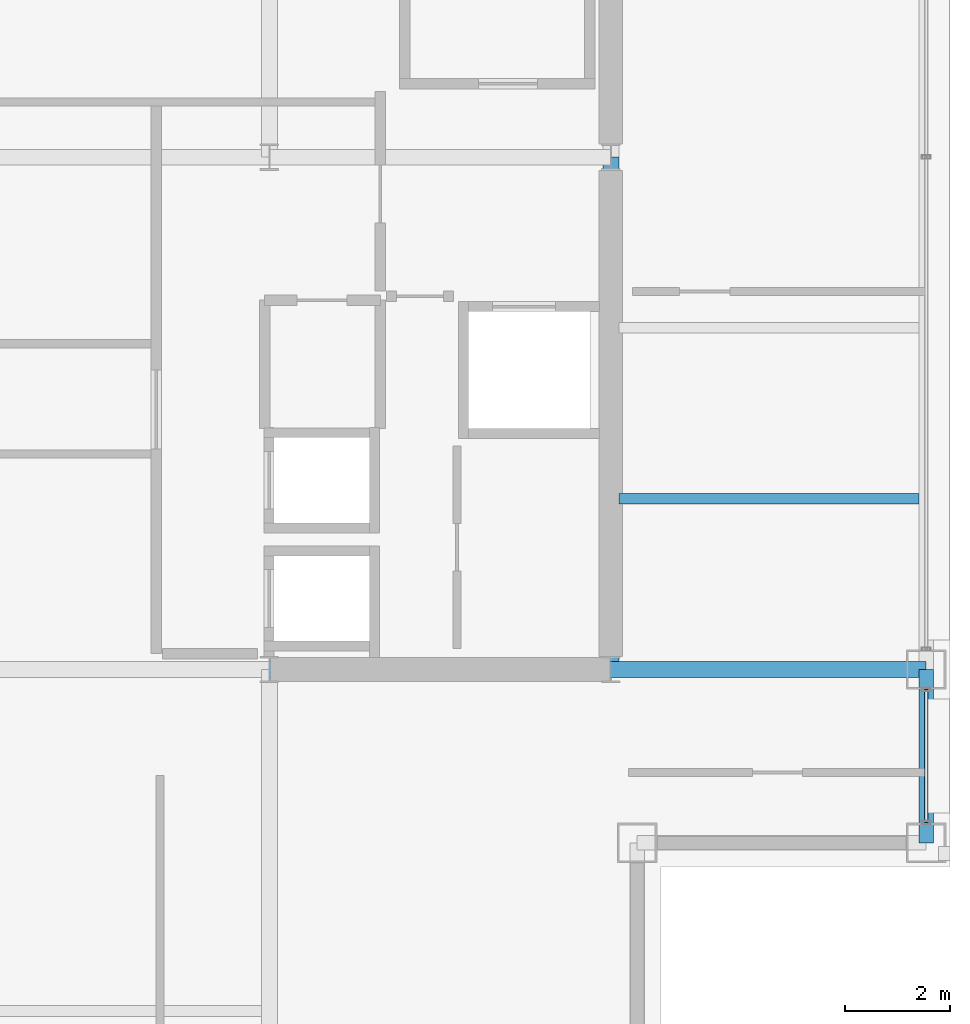
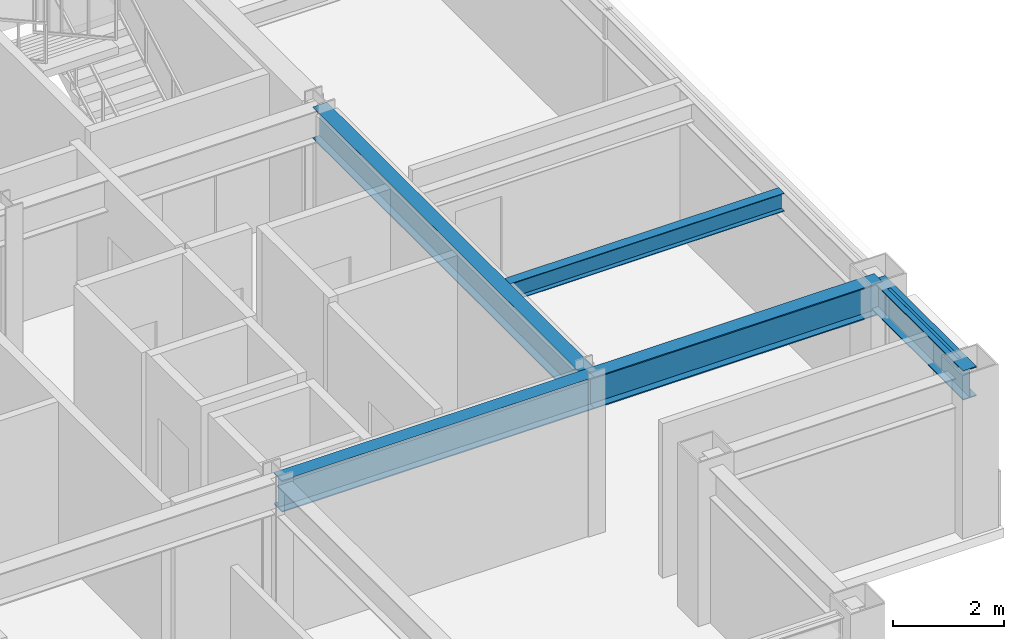
# One storey, part 12 of 27: 5 beams, 1 member, 1 element without a shape of its own.
"""IFC4 building model written with IfcOpenShell, lengths in metres."""

from ifc_helpers import new_model, si_unit, direction, frame, origin, origin_2d, place, context, subcontext, project, spatial, hollow_rectangle, i_section, extrude, material, layer, layer_set, material_profile, profile_set, type_object, element, aggregate, save


model = new_model("IFC4")

# Units and contexts
model_context = context("Model", 3, precision=1e-05, world=origin(), true_north=direction((0.0, 1.0)))
body_context = subcontext(model_context, "Body", "Model", "MODEL_VIEW")
ifc_project = project(units=[si_unit("LENGTHUNIT", "METRE"), si_unit("AREAUNIT", "SQUARE_METRE"), si_unit("VOLUMEUNIT", "CUBIC_METRE"), si_unit("PLANEANGLEUNIT", "RADIAN"), si_unit("MASSUNIT", "GRAM", prefix="KILO")], contexts=[model_context])

# Site, building, storey
site_placement = place(None, origin())
site = spatial("IfcSite", under=ifc_project, at=site_placement, CompositionType="ELEMENT")
building_placement = place(site_placement, origin())
building = spatial("IfcBuilding", under=site, at=building_placement, Name="Brelmoor Portico Tower", CompositionType="ELEMENT")
storey_placement = place(building_placement, frame((0.0, 0.0, 158.699951171875)))
storey = spatial("IfcBuildingStorey", under=building, at=storey_placement, Name="L41", CompositionType="ELEMENT", Elevation=158.699951171875)

# Beams
ifc_material_1 = material(Name="Steel Q355B", Category="steel")
ifc_material_profile_1 = material_profile(ifc_material_1, i_section(OverallWidth=0.199951171875, OverallDepth=0.39990234375, WebThickness=0.008056640625, FlangeThickness=0.012939453125, at=origin_2d()), Name="HN 400x200x8x13")
ifc_profile_set_1 = profile_set([ifc_material_profile_1], Name="Steel Q355B")
beam_type_1 = type_object("IfcBeamType", Name="BM-JS-400", PredefinedType="JOIST", material=ifc_profile_set_1)
beam_1_placement = place(storey_placement, frame((14.699951171875, -6.5, 3.199951171875), z_axis=(1.0, 0.0, 0.0), x_axis=(0.0, 1.0, 0.0)))
element("IfcBeam", 1, at=beam_1_placement, inside=storey, type_object=beam_type_1, Name="L41 Secondary Wing Joist JS-E09", PredefinedType="JOIST", context=body_context, shape_type="SweptSolid", body=[
    extrude(i_section(OverallWidth=0.199951171875, OverallDepth=0.39990234375, WebThickness=0.008056640625, FlangeThickness=0.012939453125, at=origin_2d()), origin(), (0.0, 0.0, 1.0), 5.7099609375),
])
ifc_material_profile_2 = material_profile(ifc_material_1, i_section(OverallWidth=0.300048828125, OverallDepth=0.699951171875, WebThickness=0.012939453125, FlangeThickness=0.02392578125, at=origin_2d()), Name="HN 700x300x13x24")
ifc_profile_set_2 = profile_set([ifc_material_profile_2], Name="Steel Q355B")
beam_type_2 = type_object("IfcBeamType", Name="BM-PG-700", PredefinedType="BEAM", material=ifc_profile_set_2)
beam_2_placement = place(storey_placement, frame((14.550048828125, -9.75, 3.050048828125), z_axis=(0.0, 1.0, 0.0), x_axis=(-1.0, 0.0, 0.0)))
element("IfcBeam", 2, at=beam_2_placement, inside=storey, type_object=beam_type_2, Name="L41 Primary Floor Girder PG-09", PredefinedType="BEAM", context=body_context, shape_type="SweptSolid", body=[
    extrude(i_section(OverallWidth=0.300048828125, OverallDepth=0.699951171875, WebThickness=0.012939453125, FlangeThickness=0.02392578125, at=origin_2d()), origin(), (0.0, 0.0, 1.0), 9.75),
])
beam_3_placement = place(storey_placement, frame((8.050048828125, -9.75, 3.050048828125), z_axis=(1.0, 0.0, 0.0), x_axis=(0.0, 1.0, 0.0)))
element("IfcBeam", 3, at=beam_3_placement, inside=storey, type_object=beam_type_2, Name="L41 Primary Floor Girder PG-14", PredefinedType="BEAM", context=body_context, shape_type="SweptSolid", body=[
    extrude(i_section(OverallWidth=0.300048828125, OverallDepth=0.699951171875, WebThickness=0.012939453125, FlangeThickness=0.02392578125, at=origin_2d()), origin(), (0.0, 0.0, 1.0), 6.5),
])
beam_4_placement = place(storey_placement, frame((14.550048828125, -9.75, 3.050048828125), z_axis=(1.0, 0.0, 0.0), x_axis=(0.0, 1.0, 0.0)))
element("IfcBeam", 4, at=beam_4_placement, inside=storey, type_object=beam_type_2, Name="L41 Primary Floor Girder PG-15", PredefinedType="BEAM", context=body_context, shape_type="SweptSolid", body=[
    extrude(i_section(OverallWidth=0.300048828125, OverallDepth=0.699951171875, WebThickness=0.012939453125, FlangeThickness=0.02392578125, at=origin_2d()), origin(), (0.0, 0.0, 1.0), 6.0),
])
ifc_material_profile_3 = material_profile(ifc_material_1, i_section(OverallWidth=0.280029296875, OverallDepth=0.64990234375, WebThickness=0.012939453125, FlangeThickness=0.02197265625, at=origin_2d()), Name="HN 650x280x13x22")
ifc_profile_set_3 = profile_set([ifc_material_profile_3], Name="Steel Q355B")
beam_type_3 = type_object("IfcBeamType", Name="BM-SP-650", PredefinedType="SPANDREL", material=ifc_profile_set_3)
beam_5_placement = place(storey_placement, frame((20.550048828125, -13.050048828125, 3.074951171875), z_axis=(0.0, 1.0, 0.0), x_axis=(-1.0, 0.0, 0.0)))
element("IfcBeam", 5, at=beam_5_placement, inside=storey, type_object=beam_type_3, Name="L41 Perimeter Spandrel Beam SP-18", PredefinedType="SPANDREL", context=body_context, shape_type="SweptSolid", body=[
    extrude(i_section(OverallWidth=0.280029296875, OverallDepth=0.64990234375, WebThickness=0.012939453125, FlangeThickness=0.02197265625, at=origin_2d()), origin(), (0.0, 0.0, 1.0), 3.300048828125),
])

# Curtain wall, member
ifc_material_2 = material(Name="Anodised Aluminium Alloy 6063-T6", Category="aluminium")
ifc_layer = layer(ifc_material_2, 0.179931640625)
ifc_layer_set = layer_set([ifc_layer], Name="Anodised Aluminium Alloy 6063-T6")
curtain_wall_type = type_object("IfcCurtainWallType", Name="CW-TOWER-Z3-XB", PredefinedType="NOTDEFINED", material=ifc_layer_set)
curtain_wall_placement = place(storey_placement, origin())
curtain_wall = element("IfcCurtainWall", 6, at=curtain_wall_placement, inside=storey, type_object=curtain_wall_type, Name="L41 Curtain Wall CW-L41-04-1", PredefinedType="NOTDEFINED")
ifc_material_profile_4 = material_profile(ifc_material_2, hollow_rectangle(XDim=0.06005859375, YDim=0.125, WallThickness=0.00341796875, at=origin_2d()), Name="ALU TRANSOM 60x125")
ifc_profile_set_4 = profile_set([ifc_material_profile_4], Name="Anodised Aluminium Alloy 6063-T6")
member_type = type_object("IfcMemberType", Name="MB-CW-TRAN-125", PredefinedType="USERDEFINED", material=ifc_profile_set_4)
member_placement = place(storey_placement, frame((20.550048828125, -12.6650390625, 3.337646484375), z_axis=(0.0, 1.0, 0.0), x_axis=(-1.0, 0.0, 0.0)))
member = element("IfcMember", 7, at=member_placement, type_object=member_type, Name="CW-L41-04-1 Transom 1-00", ObjectType="TRANSOM", PredefinedType="USERDEFINED", context=body_context, shape_type="SweptSolid", body=[
    extrude(hollow_rectangle(XDim=0.06005859375, YDim=0.125, WallThickness=0.00341796875, at=origin_2d()), origin(), (0.0, 0.0, 1.0), 2.530029296875),
])
aggregate(curtain_wall, [member])

save(model, "model.ifc")
